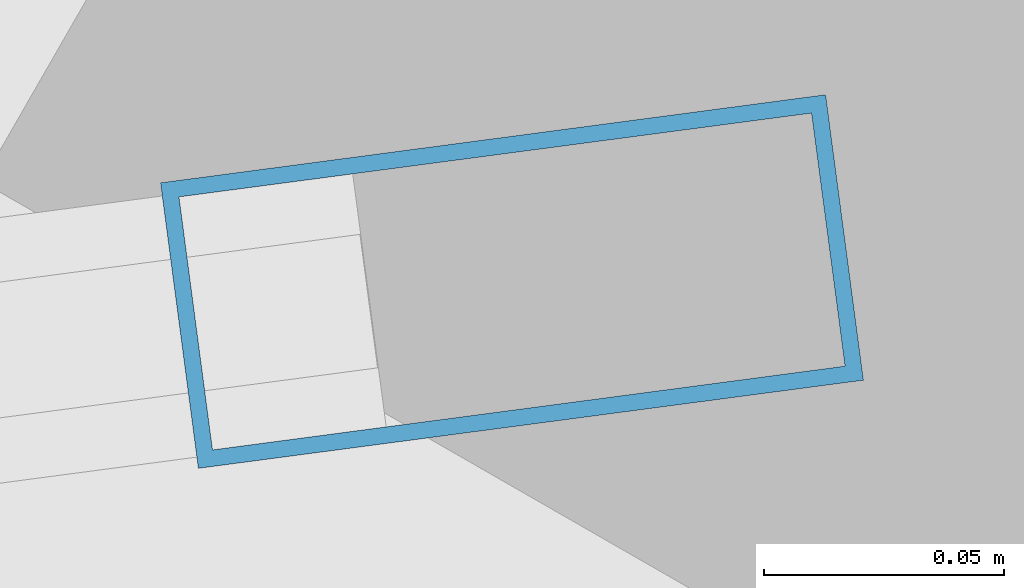
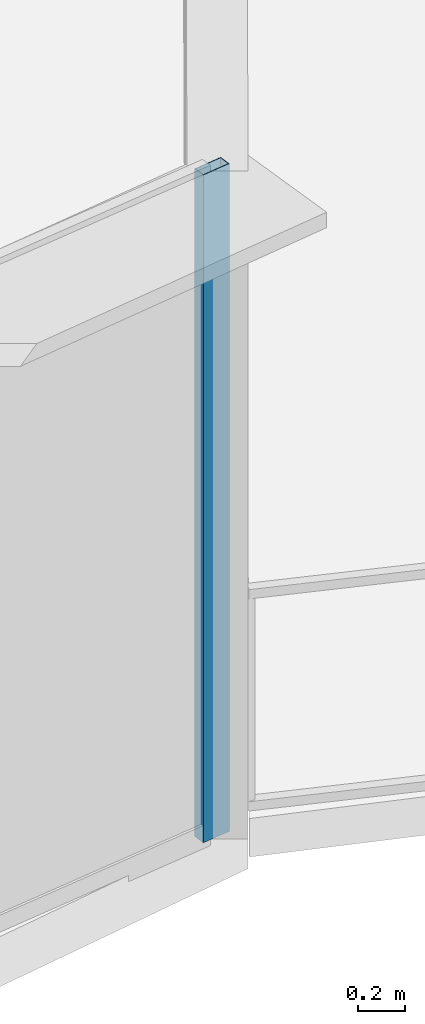
# One storey, part 14 of 37: 1 member, 1 element without a shape of its own.
"""IFC4 building model written with IfcOpenShell, lengths in metres."""

from ifc_helpers import new_model, si_unit, direction, frame, origin, origin_2d, place, context, subcontext, project, spatial, hollow_rectangle, extrude, source, transform, mapped, material, layer, layer_set, material_profile, profile_set, type_object, element, aggregate, save


model = new_model("IFC4")

# Units and contexts
model_context = context("Model", 3, precision=1e-05, world=origin(), true_north=direction((0.0, 1.0)))
body_context = subcontext(model_context, "Body", "Model", "MODEL_VIEW")
ifc_project = project(units=[si_unit("LENGTHUNIT", "METRE"), si_unit("AREAUNIT", "SQUARE_METRE"), si_unit("VOLUMEUNIT", "CUBIC_METRE"), si_unit("PLANEANGLEUNIT", "RADIAN"), si_unit("MASSUNIT", "GRAM", prefix="KILO"), si_unit("THERMODYNAMICTEMPERATUREUNIT", "KELVIN"), si_unit("POWERUNIT", "WATT")], contexts=[model_context])

# Site, building, storey
site_placement = place(None, origin())
site = spatial("IfcSite", under=ifc_project, at=site_placement, CompositionType="ELEMENT")
building_placement = place(site_placement, origin())
building = spatial("IfcBuilding", under=site, at=building_placement, Name="Yunzhuo Pagoda Commons", CompositionType="ELEMENT")
storey_placement = place(building_placement, frame((0.0, 0.0, 281.2900390625)))
storey = spatial("IfcBuildingStorey", under=building, at=storey_placement, Name="L70", CompositionType="ELEMENT", Elevation=281.2900390625)

# Curtain wall, member
ifc_material = material(Name="Anodized aluminium 6063-T6", Category="aluminium")
ifc_layer = layer(ifc_material, 0.139892578125)
ifc_layer_set = layer_set([ifc_layer], Name="Anodized aluminium 6063-T6")
curtain_wall_type = type_object("IfcCurtainWallType", Name="CW-HI High-Zone Ribbon Curtain Wall", PredefinedType="NOTDEFINED", material=ifc_layer_set)
curtain_wall_placement = place(storey_placement, origin())
curtain_wall = element("IfcCurtainWall", 1, at=curtain_wall_placement, inside=storey, type_object=curtain_wall_type, Name="L70 curtain wall CW-L70-F1B5", PredefinedType="NOTDEFINED")
ifc_material_profile = material_profile(ifc_material, hollow_rectangle(XDim=0.06005859375, YDim=0.139892578125, WallThickness=0.00341796875, at=origin_2d()), Name="Anodized aluminium 6063-T6")
ifc_profile_set = profile_set([ifc_material_profile], Name="Anodized aluminium 6063-T6")
member_type = type_object("IfcMemberType", Name="CW-HI-M Mullion RHS 140x60x3.5", PredefinedType="MULLION", material=ifc_profile_set)
shared_shape = source(origin(), body_context, "Body", "SweptSolid", [
    extrude(hollow_rectangle(XDim=0.06005859375, YDim=0.139892578125, WallThickness=0.00341796875, at=origin_2d()), origin(), (0.0, 0.0, 1.0), 3.469970703125),
])
member_placement = place(storey_placement, frame((76.964111328125, 20.89306640625, 0.0), z_axis=(0.0, 0.0, 1.0), x_axis=(-0.131311416098, 0.991341168318, 0.0)))
member = element("IfcMember", 2, at=member_placement, type_object=member_type, Name="CW mullion 2", PredefinedType="MULLION", context=body_context, shape_type="MappedRepresentation", body=[
    mapped(shared_shape, transform((0.0, 0.0, 0.0), scale=1.0)),
])
aggregate(curtain_wall, [member])

save(model, "model.ifc")
